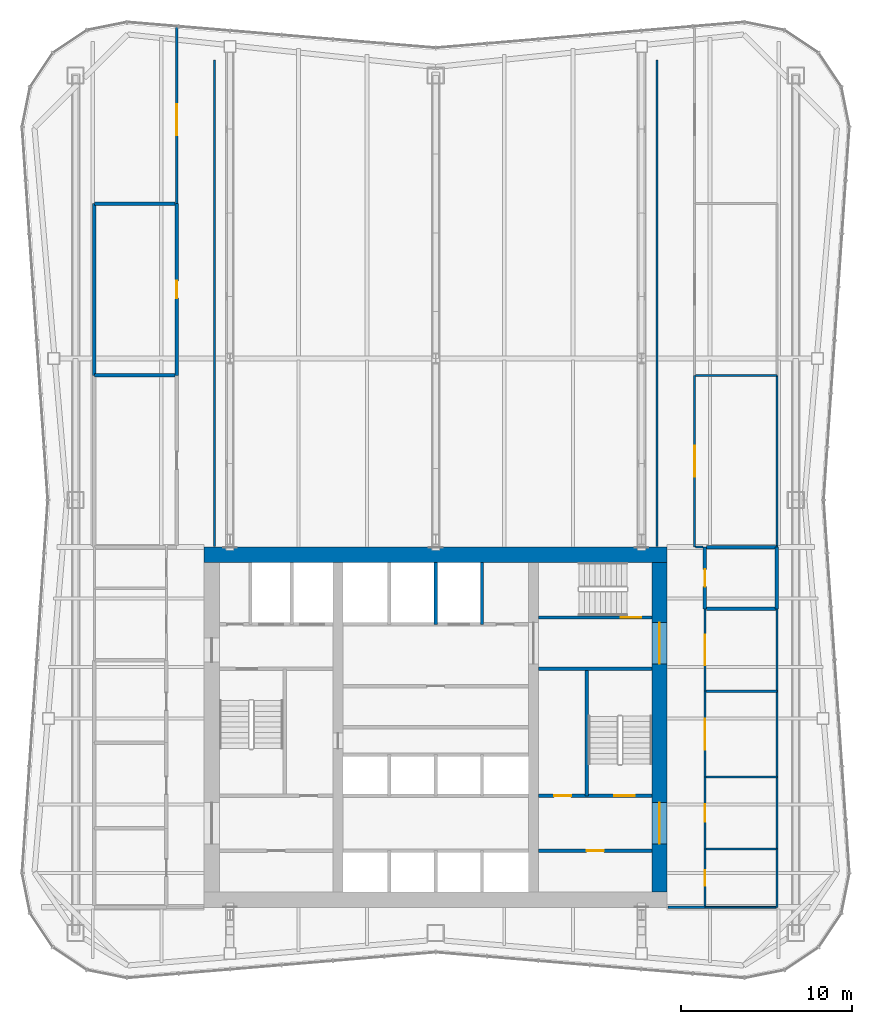
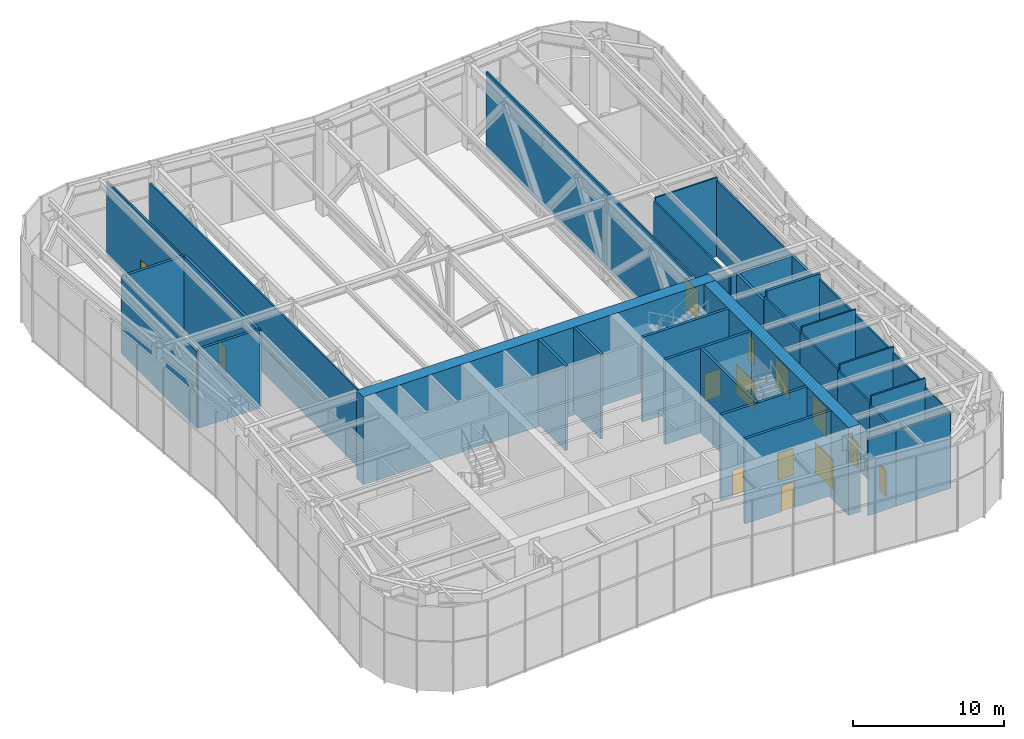
# One storey, part 10 of 14: 37 walls, 14 doors, 14 openings.
"""IFC4 building model written with IfcOpenShell, lengths in metres."""

from ifc_helpers import new_model, si_unit, direction, frame, frame_2d, origin, place, context, subcontext, project, spatial, rectangle, extrude, material, layer, layer_set, type_object, element, fill, save


model = new_model("IFC4")

# Units and contexts
model_context = context("Model", 3, precision=1e-05, world=origin(), true_north=direction((0.0, 1.0)))
body_context = subcontext(model_context, "Body", "Model", "MODEL_VIEW")
ifc_project = project(units=[si_unit("LENGTHUNIT", "METRE"), si_unit("AREAUNIT", "SQUARE_METRE"), si_unit("VOLUMEUNIT", "CUBIC_METRE"), si_unit("PLANEANGLEUNIT", "RADIAN"), si_unit("MASSUNIT", "GRAM", prefix="KILO")], contexts=[model_context])

# Site, building, storey
site_placement = place(None, origin())
site = spatial("IfcSite", under=ifc_project, at=site_placement, CompositionType="ELEMENT")
building_placement = place(site_placement, origin())
building = spatial("IfcBuilding", under=site, at=building_placement, Name="Verdant Reach Tower", CompositionType="ELEMENT")
storey_placement = place(building_placement, frame((0.0, 0.0, 226.0)))
storey = spatial("IfcBuildingStorey", under=building, at=storey_placement, Name="L52 Plant", CompositionType="ELEMENT", Elevation=226.0)

# Wall, opening, door
ifc_material_1 = material(Name="Gypsum board on steel studs", Category="steel")
ifc_layer_1 = layer(ifc_material_1, 0.199951171875)
ifc_layer_set_1 = layer_set([ifc_layer_1], Name="CO-WALL-ROOM")
wall_type_1 = type_object("IfcWallType", Name="CO-WALL-ROOM", PredefinedType="PARTITIONING", material=ifc_layer_set_1)
wall_1_placement = place(storey_placement, frame((6.0, 20.800048828125, 0.0), z_axis=(0.0, 0.0, 1.0), x_axis=(1.0, 0.0, 0.0)))
wall_1 = element("IfcWall", 1, at=wall_1_placement, inside=storey, type_object=wall_type_1, Name="Core partition, L52 Plant", PredefinedType="PARTITIONING", context=body_context, shape_type="SweptSolid", body=[
    extrude(rectangle(XDim=6.60009765625, YDim=0.199951171875, at=frame_2d((3.300048828125, 0.0))), origin(), (0.0, 0.0, 1.0), 6.8701171875),
])
opening_1_placement = place(wall_1_placement, frame((2.800048828125, 0.0, 0.0)))
opening_1 = element("IfcOpeningElement", 2, at=opening_1_placement, cuts=wall_1, Name="Opening CD", PredefinedType="OPENING", context=body_context, shape_type="SweptSolid", body=[
    extrude(rectangle(XDim=1.0, YDim=2.10009765625, at=frame_2d((0.5, 1.050048828125))), frame((0.0, 0.10986328125, 0.0), z_axis=(0.0, -1.0, 0.0), x_axis=(1.0, 0.0, 0.0)), (0.0, 0.0, 1.0), 0.219970703125),
])
ifc_material_2 = material(Name="Timber", Category="wood")
door_type_1 = type_object("IfcDoorType", Name="CO-DOOR-ROOM", OperationType="NOTDEFINED", PredefinedType="DOOR", material=ifc_material_2)
door_1_placement = place(opening_1_placement, origin())
door_1 = element("IfcDoor", 3, at=door_1_placement, inside=storey, type_object=door_type_1, Name="Core room door, L52 Plant", OperationType="SINGLE_SWING_LEFT", OverallHeight=2.10009765625, OverallWidth=1.0, PredefinedType="DOOR", context=body_context, shape_type="SweptSolid", body=[
    extrude(rectangle(XDim=1.0, YDim=2.10009765625, at=frame_2d((0.5, 1.050048828125))), frame((0.0, 0.02490234375, 0.0), z_axis=(0.0, -1.0, 0.0), x_axis=(1.0, 0.0, 0.0)), (0.0, 0.0, 1.0), 0.050048828125),
])
fill(opening_1, door_1)

# Walls
ifc_material_3 = material(Name="Concrete C40/50", Category="concrete")
ifc_layer_2 = layer(ifc_material_3, 0.199951171875)
ifc_layer_set_2 = layer_set([ifc_layer_2], Name="CO-WALL-SHAFT")
wall_type_2 = type_object("IfcWallType", Name="CO-WALL-SHAFT", PredefinedType="PARTITIONING", material=ifc_layer_set_2)
for number, where, z_axis, x_axis, name in (
    (4, (0.0, 34.0, 0.0), (0.0, 0.0, 1.0), (0.0, 1.0, 0.0), "Lift shaft wall, L52 Plant"),
    (5, (2.699951171875, 34.0, 0.0), (0.0, 0.0, 1.0), (0.0, 1.0, 0.0), "Lift shaft wall, L52 Plant"),
):
    element("IfcWall", number, at=place(storey_placement, frame(where, z_axis=z_axis, x_axis=x_axis)), inside=storey, type_object=wall_type_2, Name=name, PredefinedType="PARTITIONING", context=body_context, shape_type="SweptSolid", body=[
        extrude(rectangle(XDim=3.60009765625, YDim=0.199951171875, at=frame_2d((1.800048828125, 0.0))), origin(), (0.0, 0.0, 1.0), 6.8701171875),
    ])

# Wall, openings, doors
ifc_layer_3 = layer(ifc_material_3, 0.199951171875)
ifc_layer_set_3 = layer_set([ifc_layer_3], Name="CO-WALL-STAIR")
wall_type_3 = type_object("IfcWallType", Name="CO-WALL-STAIR", PredefinedType="PARTITIONING", material=ifc_layer_set_3)
wall_2_placement = place(storey_placement, frame((6.0, 24.0, 0.0), z_axis=(0.0, 0.0, 1.0), x_axis=(1.0, 0.0, 0.0)))
wall_2 = element("IfcWall", 6, at=wall_2_placement, inside=storey, type_object=wall_type_3, Name="Stair enclosure wall, L52 Plant", PredefinedType="PARTITIONING", context=body_context, shape_type="SweptSolid", body=[
    extrude(rectangle(XDim=6.60009765625, YDim=0.199951171875, at=frame_2d((3.300048828125, 0.0))), origin(), (0.0, 0.0, 1.0), 6.8701171875),
])
opening_2_placement = place(wall_2_placement, frame((0.89990234375, 0.0, 0.0)))
opening_2 = element("IfcOpeningElement", 7, at=opening_2_placement, cuts=wall_2, Name="Opening CD", PredefinedType="OPENING", context=body_context, shape_type="SweptSolid", body=[
    extrude(rectangle(XDim=1.0, YDim=2.10009765625, at=frame_2d((0.5, 1.050048828125))), frame((0.0, 0.10986328125, 0.0), z_axis=(0.0, -1.0, 0.0), x_axis=(1.0, 0.0, 0.0)), (0.0, 0.0, 1.0), 0.219970703125),
])
opening_3_placement = place(wall_2_placement, frame((4.39990234375, 0.0, 0.0)))
opening_3 = element("IfcOpeningElement", 8, at=opening_3_placement, cuts=wall_2, Name="Opening SD", PredefinedType="OPENING", context=body_context, shape_type="SweptSolid", body=[
    extrude(rectangle(XDim=1.199951171875, YDim=2.199951171875, at=frame_2d((0.60009765625, 1.10009765625))), frame((0.0, 0.10986328125, 0.0), z_axis=(0.0, -1.0, 0.0), x_axis=(1.0, 0.0, 0.0)), (0.0, 0.0, 1.0), 0.219970703125),
])
door_2_placement = place(opening_2_placement, origin())
door_2 = element("IfcDoor", 9, at=door_2_placement, inside=storey, type_object=door_type_1, Name="Core room door, L52 Plant", OperationType="SINGLE_SWING_RIGHT", OverallHeight=2.10009765625, OverallWidth=1.0, PredefinedType="DOOR", context=body_context, shape_type="SweptSolid", body=[
    extrude(rectangle(XDim=1.0, YDim=2.10009765625, at=frame_2d((0.5, 1.050048828125))), frame((0.0, 0.02490234375, 0.0), z_axis=(0.0, -1.0, 0.0), x_axis=(1.0, 0.0, 0.0)), (0.0, 0.0, 1.0), 0.050048828125),
])
fill(opening_2, door_2)
ifc_material_4 = material(Name="Steel", Category="steel")
door_type_2 = type_object("IfcDoorType", Name="CO-DOOR-STAIR", OperationType="NOTDEFINED", PredefinedType="DOOR", material=ifc_material_4)
door_3_placement = place(opening_3_placement, origin())
door_3 = element("IfcDoor", 10, at=door_3_placement, inside=storey, type_object=door_type_2, Name="Stair door, L52 Plant", OperationType="SINGLE_SWING_RIGHT", OverallHeight=2.199951171875, OverallWidth=1.199951171875, PredefinedType="DOOR", context=body_context, shape_type="SweptSolid", body=[
    extrude(rectangle(XDim=1.199951171875, YDim=2.199951171875, at=frame_2d((0.60009765625, 1.10009765625))), frame((0.0, 0.02490234375, 0.0), z_axis=(0.0, -1.0, 0.0), x_axis=(1.0, 0.0, 0.0)), (0.0, 0.0, 1.0), 0.050048828125),
])
fill(opening_3, door_3)

# Wall
wall_3_placement = place(storey_placement, frame((6.0, 31.39990234375, 0.0), z_axis=(0.0, 0.0, 1.0), x_axis=(1.0, 0.0, 0.0)))
element("IfcWall", 11, at=wall_3_placement, inside=storey, type_object=wall_type_3, Name="Stair enclosure wall, L52 Plant", PredefinedType="PARTITIONING", context=body_context, shape_type="SweptSolid", body=[
    extrude(rectangle(XDim=6.60009765625, YDim=0.199951171875, at=frame_2d((3.300048828125, 0.0))), origin(), (0.0, 0.0, 1.0), 6.8701171875),
])

# Wall, opening, door
wall_4_placement = place(storey_placement, frame((6.0, 34.39990234375, 0.0), z_axis=(0.0, 0.0, 1.0), x_axis=(1.0, 0.0, 0.0)))
wall_4 = element("IfcWall", 12, at=wall_4_placement, inside=storey, type_object=wall_type_3, Name="Stair enclosure wall, L52 Plant", PredefinedType="PARTITIONING", context=body_context, shape_type="SweptSolid", body=[
    extrude(rectangle(XDim=6.60009765625, YDim=0.199951171875, at=frame_2d((3.300048828125, 0.0))), origin(), (0.0, 0.0, 1.0), 6.8701171875),
])
opening_4_placement = place(wall_4_placement, frame((4.800048828125, 0.0, 0.0)))
opening_4 = element("IfcOpeningElement", 13, at=opening_4_placement, cuts=wall_4, Name="Opening SD", PredefinedType="OPENING", context=body_context, shape_type="SweptSolid", body=[
    extrude(rectangle(XDim=1.199951171875, YDim=2.199951171875, at=frame_2d((0.60009765625, 1.10009765625))), frame((0.0, 0.10986328125, 0.0), z_axis=(0.0, -1.0, 0.0), x_axis=(1.0, 0.0, 0.0)), (0.0, 0.0, 1.0), 0.219970703125),
])
door_4_placement = place(opening_4_placement, origin())
door_4 = element("IfcDoor", 14, at=door_4_placement, inside=storey, type_object=door_type_2, Name="Stair door, L52 Plant", OperationType="SINGLE_SWING_LEFT", OverallHeight=2.199951171875, OverallWidth=1.199951171875, PredefinedType="DOOR", context=body_context, shape_type="SweptSolid", body=[
    extrude(rectangle(XDim=1.199951171875, YDim=2.199951171875, at=frame_2d((0.60009765625, 1.10009765625))), frame((0.0, 0.02490234375, 0.0), z_axis=(0.0, -1.0, 0.0), x_axis=(1.0, 0.0, 0.0)), (0.0, 0.0, 1.0), 0.050048828125),
])
fill(opening_4, door_4)

# Walls
wall_5_placement = place(storey_placement, frame((8.800048828125, 24.0, 0.0), z_axis=(0.0, 0.0, 1.0), x_axis=(0.0, 1.0, 0.0)))
element("IfcWall", 15, at=wall_5_placement, inside=storey, type_object=wall_type_3, Name="Stair enclosure wall, L52 Plant", PredefinedType="PARTITIONING", context=body_context, shape_type="SweptSolid", body=[
    extrude(rectangle(XDim=7.39990234375, YDim=0.199951171875, at=frame_2d((3.699951171875, 0.0))), origin(), (0.0, 0.0, 1.0), 6.8701171875),
])
ifc_material_5 = material(Name="Concrete C70/85", Category="concrete")
ifc_layer_4 = layer(ifc_material_5, 0.89990234375)
ifc_layer_set_4 = layer_set([ifc_layer_4], Name="ST-CORE-WALL-900")
wall_type_4 = type_object("IfcWallType", Name="ST-CORE-WALL-900", PredefinedType="SHEAR", material=ifc_layer_set_4)
wall_6_placement = place(storey_placement, frame((-13.5, 38.050048828125, -0.25), z_axis=(0.0, 0.0, 1.0), x_axis=(1.0, 0.0, 0.0)))
element("IfcWall", 16, at=wall_6_placement, inside=storey, type_object=wall_type_4, Name="Core wall N, L52 Plant", PredefinedType="SHEAR", context=body_context, shape_type="SweptSolid", body=[
    extrude(rectangle(XDim=27.0, YDim=0.89990234375, at=frame_2d((13.5, 0.0))), origin(), (0.0, 0.0, 1.0), 7.1201171875),
])

# Wall, openings, doors
wall_7_placement = place(storey_placement, frame((13.050048828125, 18.39990234375, -0.25), z_axis=(0.0, 0.0, 1.0), x_axis=(0.0, 1.0, 0.0)))
wall_7 = element("IfcWall", 17, at=wall_7_placement, inside=storey, type_object=wall_type_4, Name="Core wall E, L52 Plant", PredefinedType="SHEAR", context=body_context, shape_type="SweptSolid", body=[
    extrude(rectangle(XDim=19.2001953125, YDim=0.89990234375, at=frame_2d((9.60009765625, 0.0))), origin(), (0.0, 0.0, 1.0), 7.1201171875),
])
opening_5_placement = place(wall_7_placement, frame((2.800048828125, 0.0, 0.25)))
opening_5 = element("IfcOpeningElement", 18, at=opening_5_placement, cuts=wall_7, Name="Opening LB", PredefinedType="OPENING", context=body_context, shape_type="SweptSolid", body=[
    extrude(rectangle(XDim=2.39990234375, YDim=2.39990234375, at=frame_2d((1.199951171875, 1.199951171875))), frame((0.0, 0.4599609375, 0.0), z_axis=(0.0, -1.0, 0.0), x_axis=(1.0, 0.0, 0.0)), (0.0, 0.0, 1.0), 0.919921875),
])
opening_6_placement = place(wall_7_placement, frame((13.300048828125, 0.0, 0.25)))
opening_6 = element("IfcOpeningElement", 19, at=opening_6_placement, cuts=wall_7, Name="Opening LB", PredefinedType="OPENING", context=body_context, shape_type="SweptSolid", body=[
    extrude(rectangle(XDim=2.39990234375, YDim=2.39990234375, at=frame_2d((1.199951171875, 1.199951171875))), frame((0.0, 0.4599609375, 0.0), z_axis=(0.0, -1.0, 0.0), x_axis=(1.0, 0.0, 0.0)), (0.0, 0.0, 1.0), 0.919921875),
])
ifc_material_6 = material(Name="Glass and steel", Category="steel")
door_type_3 = type_object("IfcDoorType", Name="CO-DOOR-LOBBY", OperationType="DOUBLE_DOOR_SINGLE_SWING", PredefinedType="DOOR", material=ifc_material_6)
door_5_placement = place(opening_5_placement, origin())
door_5 = element("IfcDoor", 20, at=door_5_placement, inside=storey, type_object=door_type_3, Name="Core entrance door, L52 Plant", OperationType="DOUBLE_DOOR_SINGLE_SWING", OverallHeight=2.39990234375, OverallWidth=2.39990234375, PredefinedType="DOOR", context=body_context, shape_type="SweptSolid", body=[
    extrude(rectangle(XDim=2.39990234375, YDim=2.39990234375, at=frame_2d((1.199951171875, 1.199951171875))), frame((0.0, 0.02490234375, 0.0), z_axis=(0.0, -1.0, 0.0), x_axis=(1.0, 0.0, 0.0)), (0.0, 0.0, 1.0), 0.050048828125),
])
fill(opening_5, door_5)
door_6_placement = place(opening_6_placement, origin())
door_6 = element("IfcDoor", 21, at=door_6_placement, inside=storey, type_object=door_type_3, Name="Core entrance door, L52 Plant", OperationType="DOUBLE_DOOR_SINGLE_SWING", OverallHeight=2.39990234375, OverallWidth=2.39990234375, PredefinedType="DOOR", context=body_context, shape_type="SweptSolid", body=[
    extrude(rectangle(XDim=2.39990234375, YDim=2.39990234375, at=frame_2d((1.199951171875, 1.199951171875))), frame((0.0, 0.02490234375, 0.0), z_axis=(0.0, -1.0, 0.0), x_axis=(1.0, 0.0, 0.0)), (0.0, 0.0, 1.0), 0.050048828125),
])
fill(opening_6, door_6)

# Walls
ifc_layer_5 = layer(ifc_material_1, 0.10009765625)
ifc_layer_set_5 = layer_set([ifc_layer_5], Name="SV-W1 Partition 100")
wall_type_5 = type_object("IfcWallType", Name="SV-W1 Partition 100", PredefinedType="PARTITIONING", material=ifc_layer_set_5)
wall_8_placement = place(storey_placement, frame((19.89990234375, 20.89794921875, 0.0), z_axis=(0.0, 0.0, 1.0), x_axis=(0.0, -1.0, 0.0)))
element("IfcWall", 22, at=wall_8_placement, inside=storey, type_object=wall_type_5, Name="Partition L52.35", PredefinedType="PARTITIONING", context=body_context, shape_type="SweptSolid", body=[
    extrude(rectangle(XDim=3.39794921875, YDim=0.10009765625, at=frame_2d((1.698974609375, 0.0))), origin(), (0.0, 0.0, 1.0), 6.139892578125),
])
wall_9_placement = place(storey_placement, frame((19.85009765625, 17.5, 0.0), z_axis=(0.0, 0.0, 1.0), x_axis=(-1.0, 0.0, 0.0)))
element("IfcWall", 23, at=wall_9_placement, inside=storey, type_object=wall_type_5, Name="Partition L52.36", PredefinedType="PARTITIONING", context=body_context, shape_type="SweptSolid", body=[
    extrude(rectangle(XDim=4.148193359375, YDim=0.10009765625, at=frame_2d((2.07421875, 0.0))), origin(), (0.0, 0.0, 1.0), 6.139892578125),
])

# Wall, opening, door
ifc_material_7 = material(Name="Gypsum board on steel studs, fire rated", Category="steel")
ifc_layer_6 = layer(ifc_material_7, 0.125)
ifc_layer_set_6 = layer_set([ifc_layer_6], Name="SV-W2 Plant wall 125 EI 60")
wall_type_6 = type_object("IfcWallType", Name="SV-W2 Plant wall 125 EI 60", PredefinedType="PARTITIONING", material=ifc_layer_set_6)
wall_10_placement = place(storey_placement, frame((15.699951171875, 17.5, 0.0), z_axis=(0.0, 0.0, 1.0), x_axis=(0.0, 1.0, 0.0)))
wall_10 = element("IfcWall", 24, at=wall_10_placement, inside=storey, type_object=wall_type_6, Name="Partition L52.01", PredefinedType="PARTITIONING", context=body_context, shape_type="SweptSolid", body=[
    extrude(rectangle(XDim=3.39990234375, YDim=0.125, at=frame_2d((1.699951171875, 0.0))), origin(), (0.0, 0.0, 1.0), 6.139892578125),
])
opening_7_placement = place(wall_10_placement, frame((1.25, 0.0, 0.0)))
opening_7 = element("IfcOpeningElement", 25, at=opening_7_placement, cuts=wall_10, Name="Opening SD1", PredefinedType="OPENING", context=body_context, shape_type="SweptSolid", body=[
    extrude(rectangle(XDim=0.89990234375, YDim=2.10009765625, at=frame_2d((0.449951171875, 1.050048828125))), frame((0.0, 0.072509765625, 0.0), z_axis=(0.0, -1.0, 0.0), x_axis=(1.0, 0.0, 0.0)), (0.0, 0.0, 1.0), 0.14501953125),
])
ifc_material_8 = material(Name="Painted timber door leaf", Category="wood")
door_type_4 = type_object("IfcDoorType", Name="SV-D1 Door 900x2100", OperationType="NOTDEFINED", PredefinedType="DOOR", material=ifc_material_8)
door_7_placement = place(opening_7_placement, origin())
door_7 = element("IfcDoor", 26, at=door_7_placement, inside=storey, type_object=door_type_4, Name="Door L52-001", OperationType="SINGLE_SWING_LEFT", OverallHeight=2.10009765625, OverallWidth=0.89990234375, PredefinedType="DOOR", context=body_context, shape_type="SweptSolid", body=[
    extrude(rectangle(XDim=0.89990234375, YDim=2.10009765625, at=frame_2d((0.449951171875, 1.050048828125))), frame((0.0, 0.02490234375, 0.0), z_axis=(0.0, -1.0, 0.0), x_axis=(1.0, 0.0, 0.0)), (0.0, 0.0, 1.0), 0.050048828125),
])
fill(opening_7, door_7)

wall_11_placement = place(storey_placement, frame((15.699951171875, 20.89990234375, 0.0), z_axis=(0.0, 0.0, 1.0), x_axis=(0.0, 1.0, 0.0)))
wall_11 = element("IfcWall", 27, at=wall_11_placement, inside=storey, type_object=wall_type_6, Name="Partition L52.02", PredefinedType="PARTITIONING", context=body_context, shape_type="SweptSolid", body=[
    extrude(rectangle(XDim=4.2001953125, YDim=0.125, at=frame_2d((2.10009765625, 0.0))), origin(), (0.0, 0.0, 1.0), 6.389892578125),
])
opening_8_placement = place(wall_11_placement, frame((1.60009765625, 0.0, 0.0)))
opening_8 = element("IfcOpeningElement", 28, at=opening_8_placement, cuts=wall_11, Name="Opening SD2", PredefinedType="OPENING", context=body_context, shape_type="SweptSolid", body=[
    extrude(rectangle(XDim=1.0, YDim=2.10009765625, at=frame_2d((0.5, 1.050048828125))), frame((0.0, 0.072509765625, 0.0), z_axis=(0.0, -1.0, 0.0), x_axis=(1.0, 0.0, 0.0)), (0.0, 0.0, 1.0), 0.14501953125),
])
ifc_material_9 = material(Name="Steel door leaf, fire rated", Category="steel")
door_type_5 = type_object("IfcDoorType", Name="SV-D2 Door 1000x2100 FD60", OperationType="NOTDEFINED", PredefinedType="DOOR", material=ifc_material_9)
door_8_placement = place(opening_8_placement, origin())
door_8 = element("IfcDoor", 29, at=door_8_placement, inside=storey, type_object=door_type_5, Name="Door L52-002", OperationType="SINGLE_SWING_RIGHT", OverallHeight=2.10009765625, OverallWidth=1.0, PredefinedType="DOOR", context=body_context, shape_type="SweptSolid", body=[
    extrude(rectangle(XDim=1.0, YDim=2.10009765625, at=frame_2d((0.5, 1.050048828125))), frame((0.0, 0.02490234375, 0.0), z_axis=(0.0, -1.0, 0.0), x_axis=(1.0, 0.0, 0.0)), (0.0, 0.0, 1.0), 0.050048828125),
])
fill(opening_8, door_8)

wall_12_placement = place(storey_placement, frame((15.699951171875, 25.10009765625, 0.0), z_axis=(0.0, 0.0, 1.0), x_axis=(0.0, 1.0, 0.0)))
wall_12 = element("IfcWall", 30, at=wall_12_placement, inside=storey, type_object=wall_type_6, Name="Partition L52.03", PredefinedType="PARTITIONING", context=body_context, shape_type="SweptSolid", body=[
    extrude(rectangle(XDim=5.0, YDim=0.125, at=frame_2d((2.5, 0.0))), origin(), (0.0, 0.0, 1.0), 6.43994140625),
])
opening_9_placement = place(wall_12_placement, frame((1.60009765625, 0.0, 0.0)))
opening_9 = element("IfcOpeningElement", 31, at=opening_9_placement, cuts=wall_12, Name="Opening SD3", PredefinedType="OPENING", context=body_context, shape_type="SweptSolid", body=[
    extrude(rectangle(XDim=1.800048828125, YDim=2.39990234375, at=frame_2d((0.89990234375, 1.199951171875))), frame((0.0, 0.072509765625, 0.0), z_axis=(0.0, -1.0, 0.0), x_axis=(1.0, 0.0, 0.0)), (0.0, 0.0, 1.0), 0.14501953125),
])
ifc_material_10 = material(Name="Steel door leaves, fire rated", Category="steel")
door_type_6 = type_object("IfcDoorType", Name="SV-D3 Equipment door 1800x2400 FD60", OperationType="DOUBLE_DOOR_SINGLE_SWING", PredefinedType="DOOR", material=ifc_material_10)
door_9_placement = place(opening_9_placement, origin())
door_9 = element("IfcDoor", 32, at=door_9_placement, inside=storey, type_object=door_type_6, Name="Door L52-003", OperationType="DOUBLE_DOOR_SINGLE_SWING", OverallHeight=2.39990234375, OverallWidth=1.800048828125, PredefinedType="DOOR", context=body_context, shape_type="SweptSolid", body=[
    extrude(rectangle(XDim=1.800048828125, YDim=2.39990234375, at=frame_2d((0.89990234375, 1.199951171875))), frame((0.0, 0.02490234375, 0.0), z_axis=(0.0, -1.0, 0.0), x_axis=(1.0, 0.0, 0.0)), (0.0, 0.0, 1.0), 0.050048828125),
])
fill(opening_9, door_9)

wall_13_placement = place(storey_placement, frame((15.699951171875, 30.10009765625, 0.0), z_axis=(0.0, 0.0, 1.0), x_axis=(0.0, 1.0, 0.0)))
wall_13 = element("IfcWall", 33, at=wall_13_placement, inside=storey, type_object=wall_type_6, Name="Partition L52.04", PredefinedType="PARTITIONING", context=body_context, shape_type="SweptSolid", body=[
    extrude(rectangle(XDim=4.7998046875, YDim=0.125, at=frame_2d((2.39990234375, 0.0))), origin(), (0.0, 0.0, 1.0), 6.43994140625),
])
opening_10_placement = place(wall_13_placement, frame((1.5, 0.0, 0.0)))
opening_10 = element("IfcOpeningElement", 34, at=opening_10_placement, cuts=wall_13, Name="Opening SD3", PredefinedType="OPENING", context=body_context, shape_type="SweptSolid", body=[
    extrude(rectangle(XDim=1.800048828125, YDim=2.39990234375, at=frame_2d((0.89990234375, 1.199951171875))), frame((0.0, 0.072509765625, 0.0), z_axis=(0.0, -1.0, 0.0), x_axis=(1.0, 0.0, 0.0)), (0.0, 0.0, 1.0), 0.14501953125),
])
door_10_placement = place(opening_10_placement, origin())
door_10 = element("IfcDoor", 35, at=door_10_placement, inside=storey, type_object=door_type_6, Name="Door L52-004", OperationType="DOUBLE_DOOR_SINGLE_SWING", OverallHeight=2.39990234375, OverallWidth=1.800048828125, PredefinedType="DOOR", context=body_context, shape_type="SweptSolid", body=[
    extrude(rectangle(XDim=1.800048828125, YDim=2.39990234375, at=frame_2d((0.89990234375, 1.199951171875))), frame((0.0, 0.02490234375, 0.0), z_axis=(0.0, -1.0, 0.0), x_axis=(1.0, 0.0, 0.0)), (0.0, 0.0, 1.0), 0.050048828125),
])
fill(opening_10, door_10)

wall_14_placement = place(storey_placement, frame((15.10009765625, 38.5, 0.0), z_axis=(0.0, 0.0, 1.0), x_axis=(0.0, 1.0, 0.0)))
wall_14 = element("IfcWall", 36, at=wall_14_placement, inside=storey, type_object=wall_type_6, Name="Partition L52.06", PredefinedType="PARTITIONING", context=body_context, shape_type="SweptSolid", body=[
    extrude(rectangle(XDim=10.014892578125, YDim=0.125, at=frame_2d((5.00732421875, 0.0))), origin(), (0.0, 0.0, 1.0), 6.139892578125),
])
opening_11_placement = place(wall_14_placement, frame((4.107421875, 0.0, 0.0)))
opening_11 = element("IfcOpeningElement", 37, at=opening_11_placement, cuts=wall_14, Name="Opening SD3", PredefinedType="OPENING", context=body_context, shape_type="SweptSolid", body=[
    extrude(rectangle(XDim=1.800048828125, YDim=2.39990234375, at=frame_2d((0.89990234375, 1.199951171875))), frame((0.0, 0.072509765625, 0.0), z_axis=(0.0, -1.0, 0.0), x_axis=(1.0, 0.0, 0.0)), (0.0, 0.0, 1.0), 0.14501953125),
])
door_11_placement = place(opening_11_placement, origin())
door_11 = element("IfcDoor", 38, at=door_11_placement, inside=storey, type_object=door_type_6, Name="Door L52-006", OperationType="DOUBLE_DOOR_SINGLE_SWING", OverallHeight=2.39990234375, OverallWidth=1.800048828125, PredefinedType="DOOR", context=body_context, shape_type="SweptSolid", body=[
    extrude(rectangle(XDim=1.800048828125, YDim=2.39990234375, at=frame_2d((0.89990234375, 1.199951171875))), frame((0.0, 0.02490234375, 0.0), z_axis=(0.0, -1.0, 0.0), x_axis=(1.0, 0.0, 0.0)), (0.0, 0.0, 1.0), 0.050048828125),
])
fill(opening_11, door_11)

# Walls
wall_15_placement = place(storey_placement, frame((15.16259765625, 38.5, 0.0), z_axis=(0.0, 0.0, 1.0), x_axis=(1.0, 0.0, 0.0)))
element("IfcWall", 39, at=wall_15_placement, inside=storey, type_object=wall_type_6, Name="Partition L52.07", PredefinedType="PARTITIONING", context=body_context, shape_type="SweptSolid", body=[
    extrude(rectangle(XDim=0.4375, YDim=0.125, at=frame_2d((0.21875, 0.0))), origin(), (0.0, 0.0, 1.0), 6.139892578125),
])
for number, where, z_axis, x_axis, name in (
    (40, (15.762451171875, 20.89990234375, 0.0), (0.0, 0.0, 1.0), (1.0, 0.0, 0.0), "Partition L52.10"),
    (41, (15.762451171875, 25.10009765625, 0.0), (0.0, 0.0, 1.0), (1.0, 0.0, 0.0), "Partition L52.11"),
    (42, (15.762451171875, 30.10009765625, 0.0), (0.0, 0.0, 1.0), (1.0, 0.0, 0.0), "Partition L52.12"),
):
    element("IfcWall", number, at=place(storey_placement, frame(where, z_axis=z_axis, x_axis=x_axis)), inside=storey, type_object=wall_type_6, Name=name, PredefinedType="PARTITIONING", context=body_context, shape_type="SweptSolid", body=[
        extrude(rectangle(XDim=4.137451171875, YDim=0.125, at=frame_2d((2.06884765625, 0.0))), origin(), (0.0, 0.0, 1.0), 6.8701171875),
    ])
wall_16_placement = place(storey_placement, frame((15.16259765625, 48.514892578125, 0.0), z_axis=(0.0, 0.0, 1.0), x_axis=(1.0, 0.0, 0.0)))
element("IfcWall", 43, at=wall_16_placement, inside=storey, type_object=wall_type_6, Name="Partition L52.15", PredefinedType="PARTITIONING", context=body_context, shape_type="SweptSolid", body=[
    extrude(rectangle(XDim=4.7373046875, YDim=0.125, at=frame_2d((2.36865234375, 0.0))), origin(), (0.0, 0.0, 1.0), 6.389892578125),
])

# Wall, opening, door
wall_17_placement = place(storey_placement, frame((-15.10009765625, 68.83837890625, 0.0), z_axis=(0.0, 0.0, 1.0), x_axis=(0.0, -1.0, 0.0)))
wall_17 = element("IfcWall", 44, at=wall_17_placement, inside=storey, type_object=wall_type_6, Name="Partition L52.25", PredefinedType="PARTITIONING", context=body_context, shape_type="SweptSolid", body=[
    extrude(rectangle(XDim=10.307373046875, YDim=0.125, at=frame_2d((5.15380859375, 0.0))), origin(), (0.0, 0.0, 1.0), 6.0400390625),
])
opening_12_placement = place(wall_17_placement, frame((4.519287109375, 0.0, 0.0)))
opening_12 = element("IfcOpeningElement", 45, at=opening_12_placement, cuts=wall_17, Name="Opening SD3", PredefinedType="OPENING", context=body_context, shape_type="SweptSolid", body=[
    extrude(rectangle(XDim=1.800048828125, YDim=2.39990234375, at=frame_2d((0.89990234375, 1.199951171875))), frame((0.0, 0.072509765625, 0.0), z_axis=(0.0, -1.0, 0.0), x_axis=(1.0, 0.0, 0.0)), (0.0, 0.0, 1.0), 0.14501953125),
])
door_12_placement = place(opening_12_placement, origin())
door_12 = element("IfcDoor", 46, at=door_12_placement, inside=storey, type_object=door_type_6, Name="Door L52-016", OperationType="DOUBLE_DOOR_SINGLE_SWING", OverallHeight=2.39990234375, OverallWidth=1.800048828125, PredefinedType="DOOR", context=body_context, shape_type="SweptSolid", body=[
    extrude(rectangle(XDim=1.800048828125, YDim=2.39990234375, at=frame_2d((0.89990234375, 1.199951171875))), frame((0.0, 0.02490234375, 0.0), z_axis=(0.0, -1.0, 0.0), x_axis=(1.0, 0.0, 0.0)), (0.0, 0.0, 1.0), 0.050048828125),
])
fill(opening_12, door_12)

# Walls
wall_18_placement = place(storey_placement, frame((12.89990234375, 38.550048828125, 0.0), z_axis=(0.0, 0.0, 1.0), x_axis=(0.0, 1.0, 0.0)))
element("IfcWall", 47, at=wall_18_placement, inside=storey, type_object=wall_type_6, Name="Partition L52.33", PredefinedType="PARTITIONING", context=body_context, shape_type="SweptSolid", body=[
    extrude(rectangle(XDim=28.35791015625, YDim=0.125, at=frame_2d((14.178955078125, 0.0))), origin(), (0.0, 0.0, 1.0), 6.239990234375),
])
wall_19_placement = place(storey_placement, frame((15.697998046875, 17.5, 0.0), z_axis=(0.0, 0.0, 1.0), x_axis=(-1.0, 0.0, 0.0)))
element("IfcWall", 48, at=wall_19_placement, inside=storey, type_object=wall_type_6, Name="Partition L52.34", PredefinedType="PARTITIONING", context=body_context, shape_type="SweptSolid", body=[
    extrude(rectangle(XDim=2.14794921875, YDim=0.125, at=frame_2d((1.073974609375, 0.0))), origin(), (0.0, 0.0, 1.0), 6.139892578125),
])
wall_20_placement = place(storey_placement, frame((19.89990234375, 25.097900390625, 0.0), z_axis=(0.0, 0.0, 1.0), x_axis=(0.0, -1.0, 0.0)))
element("IfcWall", 49, at=wall_20_placement, inside=storey, type_object=wall_type_6, Name="Partition L52.37", PredefinedType="PARTITIONING", context=body_context, shape_type="SweptSolid", body=[
    extrude(rectangle(XDim=4.19580078125, YDim=0.125, at=frame_2d((2.097900390625, 0.0))), origin(), (0.0, 0.0, 1.0), 6.389892578125),
])
wall_21_placement = place(storey_placement, frame((19.89990234375, 30.097900390625, 0.0), z_axis=(0.0, 0.0, 1.0), x_axis=(0.0, -1.0, 0.0)))
element("IfcWall", 50, at=wall_21_placement, inside=storey, type_object=wall_type_6, Name="Partition L52.38", PredefinedType="PARTITIONING", context=body_context, shape_type="SweptSolid", body=[
    extrude(rectangle(XDim=4.995849609375, YDim=0.125, at=frame_2d((2.498046875, 0.0))), origin(), (0.0, 0.0, 1.0), 6.43994140625),
])
wall_22_placement = place(storey_placement, frame((19.89990234375, 34.89794921875, 0.0), z_axis=(0.0, 0.0, 1.0), x_axis=(0.0, -1.0, 0.0)))
element("IfcWall", 51, at=wall_22_placement, inside=storey, type_object=wall_type_6, Name="Partition L52.39", PredefinedType="PARTITIONING", context=body_context, shape_type="SweptSolid", body=[
    extrude(rectangle(XDim=4.7958984375, YDim=0.125, at=frame_2d((2.39794921875, 0.0))), origin(), (0.0, 0.0, 1.0), 6.43994140625),
])
wall_23_placement = place(storey_placement, frame((19.89990234375, 48.512939453125, 0.0), z_axis=(0.0, 0.0, 1.0), x_axis=(0.0, -1.0, 0.0)))
element("IfcWall", 52, at=wall_23_placement, inside=storey, type_object=wall_type_6, Name="Partition L52.41", PredefinedType="PARTITIONING", context=body_context, shape_type="SweptSolid", body=[
    extrude(rectangle(XDim=10.010986328125, YDim=0.125, at=frame_2d((5.00537109375, 0.0))), origin(), (0.0, 0.0, 1.0), 6.139892578125),
])
wall_24_placement = place(storey_placement, frame((-12.89990234375, 66.907958984375, 0.0), z_axis=(0.0, 0.0, 1.0), x_axis=(0.0, -1.0, 0.0)))
element("IfcWall", 53, at=wall_24_placement, inside=storey, type_object=wall_type_6, Name="Partition L52.44", PredefinedType="PARTITIONING", context=body_context, shape_type="SweptSolid", body=[
    extrude(rectangle(XDim=28.35791015625, YDim=0.125, at=frame_2d((14.178955078125, 0.0))), origin(), (0.0, 0.0, 1.0), 6.239990234375),
])

# Wall, opening, door
ifc_material_11 = material(Name="Calcium silicate board on steel studs, fire rated", Category="steel")
ifc_layer_7 = layer(ifc_material_11, 0.199951171875)
ifc_layer_set_7 = layer_set([ifc_layer_7], Name="SV-W3 Fire wall 200 EI 120")
wall_type_7 = type_object("IfcWallType", Name="SV-W3 Fire wall 200 EI 120", PredefinedType="PARTITIONING", material=ifc_layer_set_7)
wall_25_placement = place(storey_placement, frame((15.699951171875, 34.89990234375, 0.0), z_axis=(0.0, 0.0, 1.0), x_axis=(0.0, 1.0, 0.0)))
wall_25 = element("IfcWall", 54, at=wall_25_placement, inside=storey, type_object=wall_type_7, Name="Partition L52.05", PredefinedType="PARTITIONING", context=body_context, shape_type="SweptSolid", body=[
    extrude(rectangle(XDim=3.60009765625, YDim=0.199951171875, at=frame_2d((1.800048828125, 0.0))), origin(), (0.0, 0.0, 1.0), 6.139892578125),
])
opening_13_placement = place(wall_25_placement, frame((1.300048828125, 0.0, 0.0)))
opening_13 = element("IfcOpeningElement", 55, at=opening_13_placement, cuts=wall_25, Name="Opening SD4", PredefinedType="OPENING", context=body_context, shape_type="SweptSolid", body=[
    extrude(rectangle(XDim=1.0, YDim=2.10009765625, at=frame_2d((0.5, 1.050048828125))), frame((0.0, 0.10986328125, 0.0), z_axis=(0.0, -1.0, 0.0), x_axis=(1.0, 0.0, 0.0)), (0.0, 0.0, 1.0), 0.219970703125),
])
door_type_7 = type_object("IfcDoorType", Name="SV-D4 Door 1000x2100 FD120", OperationType="NOTDEFINED", PredefinedType="DOOR", material=ifc_material_9)
door_13_placement = place(opening_13_placement, origin())
door_13 = element("IfcDoor", 56, at=door_13_placement, inside=storey, type_object=door_type_7, Name="Door L52-005", OperationType="SINGLE_SWING_LEFT", OverallHeight=2.10009765625, OverallWidth=1.0, PredefinedType="DOOR", context=body_context, shape_type="SweptSolid", body=[
    extrude(rectangle(XDim=1.0, YDim=2.10009765625, at=frame_2d((0.5, 1.050048828125))), frame((0.0, 0.02490234375, 0.0), z_axis=(0.0, -1.0, 0.0), x_axis=(1.0, 0.0, 0.0)), (0.0, 0.0, 1.0), 0.050048828125),
])
fill(opening_13, door_13)

# Walls
wall_26_placement = place(storey_placement, frame((15.800048828125, 34.89990234375, 0.0), z_axis=(0.0, 0.0, 1.0), x_axis=(1.0, 0.0, 0.0)))
element("IfcWall", 57, at=wall_26_placement, inside=storey, type_object=wall_type_7, Name="Partition L52.13", PredefinedType="PARTITIONING", context=body_context, shape_type="SweptSolid", body=[
    extrude(rectangle(XDim=4.099853515625, YDim=0.199951171875, at=frame_2d((2.0498046875, 0.0))), origin(), (0.0, 0.0, 1.0), 6.8701171875),
])
wall_27_placement = place(storey_placement, frame((15.800048828125, 38.5, 0.0), z_axis=(0.0, 0.0, 1.0), x_axis=(1.0, 0.0, 0.0)))
element("IfcWall", 58, at=wall_27_placement, inside=storey, type_object=wall_type_7, Name="Partition L52.14", PredefinedType="PARTITIONING", context=body_context, shape_type="SweptSolid", body=[
    extrude(rectangle(XDim=4.099853515625, YDim=0.199951171875, at=frame_2d((2.0498046875, 0.0))), origin(), (0.0, 0.0, 1.0), 6.139892578125),
])

# Wall, opening, door
wall_28_placement = place(storey_placement, frame((-15.10009765625, 58.531005859375, 0.0), z_axis=(0.0, 0.0, 1.0), x_axis=(0.0, -1.0, 0.0)))
wall_28 = element("IfcWall", 59, at=wall_28_placement, inside=storey, type_object=wall_type_7, Name="Partition L52.24", PredefinedType="PARTITIONING", context=body_context, shape_type="SweptSolid", body=[
    extrude(rectangle(XDim=10.01611328125, YDim=0.199951171875, at=frame_2d((5.008056640625, 0.0))), origin(), (0.0, 0.0, 1.0), 6.239990234375),
])
opening_14_placement = place(wall_28_placement, frame((4.508056640625, 0.0, 0.0)))
opening_14 = element("IfcOpeningElement", 60, at=opening_14_placement, cuts=wall_28, Name="Opening SD4", PredefinedType="OPENING", context=body_context, shape_type="SweptSolid", body=[
    extrude(rectangle(XDim=1.0, YDim=2.10009765625, at=frame_2d((0.5, 1.050048828125))), frame((0.0, 0.10986328125, 0.0), z_axis=(0.0, -1.0, 0.0), x_axis=(1.0, 0.0, 0.0)), (0.0, 0.0, 1.0), 0.219970703125),
])
door_14_placement = place(opening_14_placement, origin())
door_14 = element("IfcDoor", 61, at=door_14_placement, inside=storey, type_object=door_type_7, Name="Door L52-015", OperationType="SINGLE_SWING_LEFT", OverallHeight=2.10009765625, OverallWidth=1.0, PredefinedType="DOOR", context=body_context, shape_type="SweptSolid", body=[
    extrude(rectangle(XDim=1.0, YDim=2.10009765625, at=frame_2d((0.5, 1.050048828125))), frame((0.0, 0.02490234375, 0.0), z_axis=(0.0, -1.0, 0.0), x_axis=(1.0, 0.0, 0.0)), (0.0, 0.0, 1.0), 0.050048828125),
])
fill(opening_14, door_14)

# Walls
wall_29_placement = place(storey_placement, frame((-19.89990234375, 48.514892578125, 0.0), z_axis=(0.0, 0.0, 1.0), x_axis=(1.0, 0.0, 0.0)))
element("IfcWall", 62, at=wall_29_placement, inside=storey, type_object=wall_type_7, Name="Partition L52.31", PredefinedType="PARTITIONING", context=body_context, shape_type="SweptSolid", body=[
    extrude(rectangle(XDim=4.699951171875, YDim=0.199951171875, at=frame_2d((2.35009765625, 0.0))), origin(), (0.0, 0.0, 1.0), 6.389892578125),
])
wall_30_placement = place(storey_placement, frame((-19.89990234375, 58.531005859375, 0.0), z_axis=(0.0, 0.0, 1.0), x_axis=(1.0, 0.0, 0.0)))
element("IfcWall", 63, at=wall_30_placement, inside=storey, type_object=wall_type_7, Name="Partition L52.32", PredefinedType="PARTITIONING", context=body_context, shape_type="SweptSolid", body=[
    extrude(rectangle(XDim=4.699951171875, YDim=0.199951171875, at=frame_2d((2.35009765625, 0.0))), origin(), (0.0, 0.0, 1.0), 6.239990234375),
])
wall_31_placement = place(storey_placement, frame((19.89990234375, 38.498046875, 0.0), z_axis=(0.0, 0.0, 1.0), x_axis=(0.0, -1.0, 0.0)))
element("IfcWall", 64, at=wall_31_placement, inside=storey, type_object=wall_type_7, Name="Partition L52.40", PredefinedType="PARTITIONING", context=body_context, shape_type="SweptSolid", body=[
    extrude(rectangle(XDim=3.595947265625, YDim=0.199951171875, at=frame_2d((1.7978515625, 0.0))), origin(), (0.0, 0.0, 1.0), 6.139892578125),
])
wall_32_placement = place(storey_placement, frame((-19.89990234375, 48.51708984375, 0.0), z_axis=(0.0, 0.0, 1.0), x_axis=(0.0, 1.0, 0.0)))
element("IfcWall", 65, at=wall_32_placement, inside=storey, type_object=wall_type_7, Name="Partition L52.52", PredefinedType="PARTITIONING", context=body_context, shape_type="SweptSolid", body=[
    extrude(rectangle(XDim=10.011962890625, YDim=0.199951171875, at=frame_2d((5.005859375, 0.0))), origin(), (0.0, 0.0, 1.0), 6.239990234375),
])

save(model, "model.ifc")
